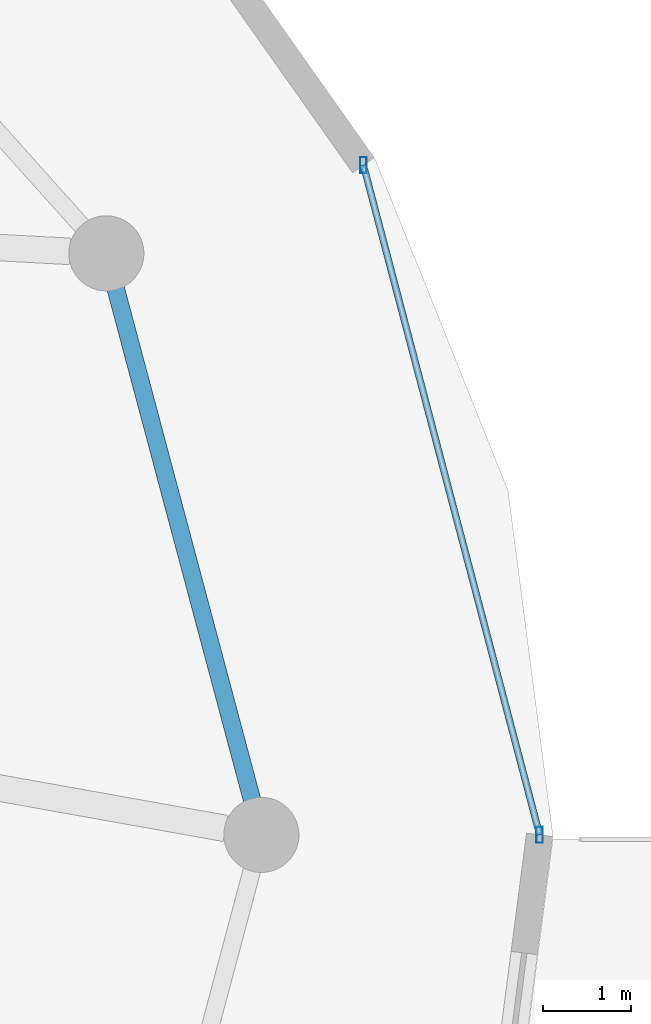
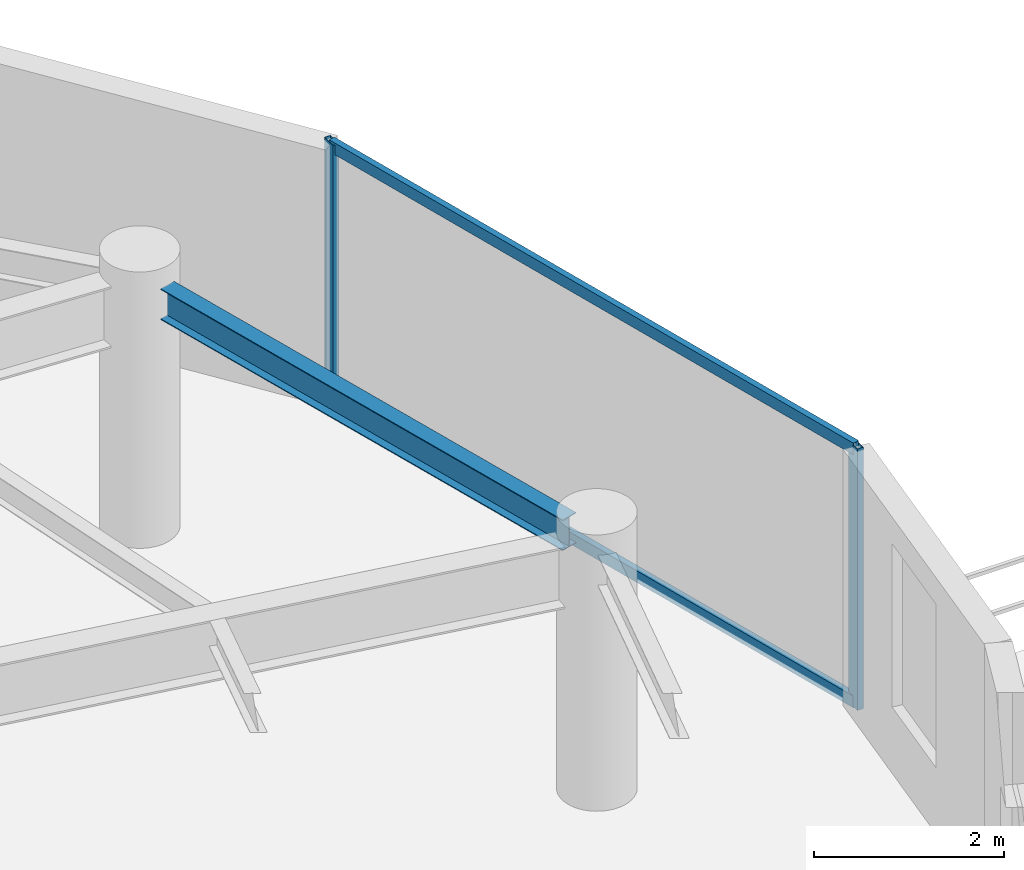
# One storey, part 15 of 30: 4 members, 1 beam, 1 element without a shape of its own.
"""IFC4 building model written with IfcOpenShell, lengths in metres."""

from ifc_helpers import new_model, si_unit, direction, frame, origin, origin_2d, place, context, subcontext, project, spatial, hollow_rectangle, i_section, extrude, material, material_profile, profile_set, type_object, element, aggregate, save


model = new_model("IFC4")

# Units and contexts
model_context = context("Model", 3, precision=1e-05, world=origin(), true_north=direction((0.0, 1.0)))
body_context = subcontext(model_context, "Body", "Model", "MODEL_VIEW")
ifc_project = project(units=[si_unit("LENGTHUNIT", "METRE"), si_unit("AREAUNIT", "SQUARE_METRE"), si_unit("VOLUMEUNIT", "CUBIC_METRE"), si_unit("PLANEANGLEUNIT", "RADIAN"), si_unit("MASSUNIT", "GRAM", prefix="KILO")], contexts=[model_context])

# Site, building, storey
site_placement = place(None, origin())
site = spatial("IfcSite", under=ifc_project, at=site_placement, CompositionType="ELEMENT")
building_placement = place(site_placement, origin())
building = spatial("IfcBuilding", under=site, at=building_placement, Name="Vorneva Point Tower", CompositionType="ELEMENT")
storey_placement = place(building_placement, frame((0.0, 0.0, 234.25)))
storey = spatial("IfcBuildingStorey", under=building, at=storey_placement, Name="L63", CompositionType="ELEMENT", Elevation=234.25)

# Beam
ifc_material_1 = material(Name="Steel S355", Category="steel")
ifc_material_profile_1 = material_profile(ifc_material_1, i_section(OverallWidth=0.198974609375, OverallDepth=0.39599609375, WebThickness=0.007080078125, FlangeThickness=0.010986328125, at=origin_2d()), Name="40B1")
ifc_profile_set_1 = profile_set([ifc_material_profile_1], Name="Steel S355")
beam_type = type_object("IfcBeamType", Name="BM-SPN-40B1", PredefinedType="SPANDREL", material=ifc_profile_set_1)
beam_placement = place(storey_placement, frame((60.9443359375, 26.396240234375, 3.092041015625), z_axis=(-0.257586570866, 0.966255224312, 0.0), x_axis=(-0.966255224312, -0.257586570866, 0.0)))
element("IfcBeam", 1, at=beam_placement, inside=storey, type_object=beam_type, Name="L63 Perimeter Spandrel Ring Beam 01", PredefinedType="SPANDREL", context=body_context, shape_type="SweptSolid", body=[
    extrude(i_section(OverallWidth=0.198974609375, OverallDepth=0.39599609375, WebThickness=0.007080078125, FlangeThickness=0.010986328125, at=origin_2d()), origin(), (0.0, 0.0, 1.0), 5.991943359375),
])

# Curtain wall, members
ifc_material_2 = material(Name="Pale anodised aluminium", Category="aluminium")
curtain_wall_type = type_object("IfcCurtainWallType", Name="CW-RES-SYS", PredefinedType="NOTDEFINED", material=ifc_material_2)
curtain_wall_placement = place(storey_placement, origin())
curtain_wall = element("IfcCurtainWall", 2, at=curtain_wall_placement, inside=storey, type_object=curtain_wall_type, Name="L63 Unitised Curtain Wall CW-L63-R01", PredefinedType="NOTDEFINED")
ifc_material_profile_2 = material_profile(ifc_material_2, hollow_rectangle(XDim=0.074951171875, YDim=0.179931640625, WallThickness=0.00390625, at=origin_2d()), Name="AL-MUL 180x75x4")
ifc_profile_set_2 = profile_set([ifc_material_profile_2], Name="Pale anodised aluminium")
member_type_1 = type_object("IfcMemberType", Name="CW-MUL-180", PredefinedType="MULLION", material=ifc_profile_set_2)
member_1_placement = place(storey_placement, frame((64.199951171875, 26.0, -0.0400390625), z_axis=(0.0, 0.0, 1.0), x_axis=(1.0, 0.0, 0.0)))
member_1 = element("IfcMember", 3, at=member_1_placement, type_object=member_type_1, Name="CW-L63-R01 Mullion 01", PredefinedType="MULLION", context=body_context, shape_type="SweptSolid", body=[
    extrude(hollow_rectangle(XDim=0.074951171875, YDim=0.179931640625, WallThickness=0.00390625, at=origin_2d()), origin(), (0.0, 0.0, 1.0), 3.360107421875),
])
member_2_placement = place(storey_placement, frame((62.20556640625, 33.5810546875, -0.0400390625), z_axis=(0.0, 0.0, 1.0), x_axis=(1.0, 0.0, 0.0)))
member_2 = element("IfcMember", 4, at=member_2_placement, type_object=member_type_1, Name="CW-L63-R01 Mullion 02", PredefinedType="MULLION", context=body_context, shape_type="SweptSolid", body=[
    extrude(hollow_rectangle(XDim=0.074951171875, YDim=0.179931640625, WallThickness=0.00390625, at=origin_2d()), origin(), (0.0, 0.0, 1.0), 3.360107421875),
])
ifc_material_profile_3 = material_profile(ifc_material_2, hollow_rectangle(XDim=0.074951171875, YDim=0.14990234375, WallThickness=0.00390625, at=origin_2d()), Name="AL-TRN 150x75x4")
ifc_profile_set_3 = profile_set([ifc_material_profile_3], Name="Pale anodised aluminium")
member_type_2 = type_object("IfcMemberType", Name="CW-TRN-150", PredefinedType="USERDEFINED", material=ifc_profile_set_3)
member_3_placement = place(storey_placement, frame((64.199951171875, 26.0, 0.02001953125), z_axis=(-0.254418180926, 0.967094302131, 0.0), x_axis=(-0.967094302131, -0.254418180926, 0.0)))
member_3 = element("IfcMember", 5, at=member_3_placement, type_object=member_type_2, Name="CW-L63-R01 Transom 01.1", ObjectType="TRANSOM", PredefinedType="USERDEFINED", context=body_context, shape_type="SweptSolid", body=[
    extrude(hollow_rectangle(XDim=0.074951171875, YDim=0.14990234375, WallThickness=0.00390625, at=origin_2d()), origin(), (0.0, 0.0, 1.0), 7.839111328125),
])
member_4_placement = place(storey_placement, frame((64.199951171875, 26.0, 3.27001953125), z_axis=(-0.254418180926, 0.967094302131, 0.0), x_axis=(-0.967094302131, -0.254418180926, 0.0)))
member_4 = element("IfcMember", 6, at=member_4_placement, type_object=member_type_2, Name="CW-L63-R01 Transom 01.2", ObjectType="TRANSOM", PredefinedType="USERDEFINED", context=body_context, shape_type="SweptSolid", body=[
    extrude(hollow_rectangle(XDim=0.074951171875, YDim=0.14990234375, WallThickness=0.00390625, at=origin_2d()), origin(), (0.0, 0.0, 1.0), 7.839111328125),
])
aggregate(curtain_wall, [member_1, member_2, member_3, member_4])

save(model, "model.ifc")
